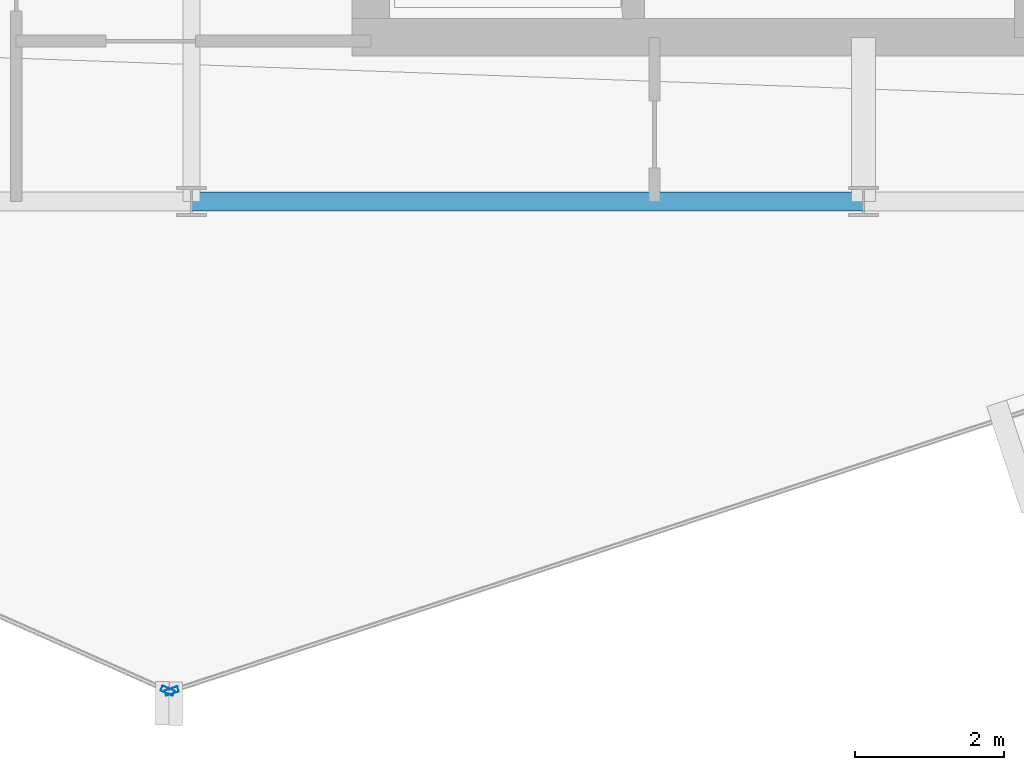
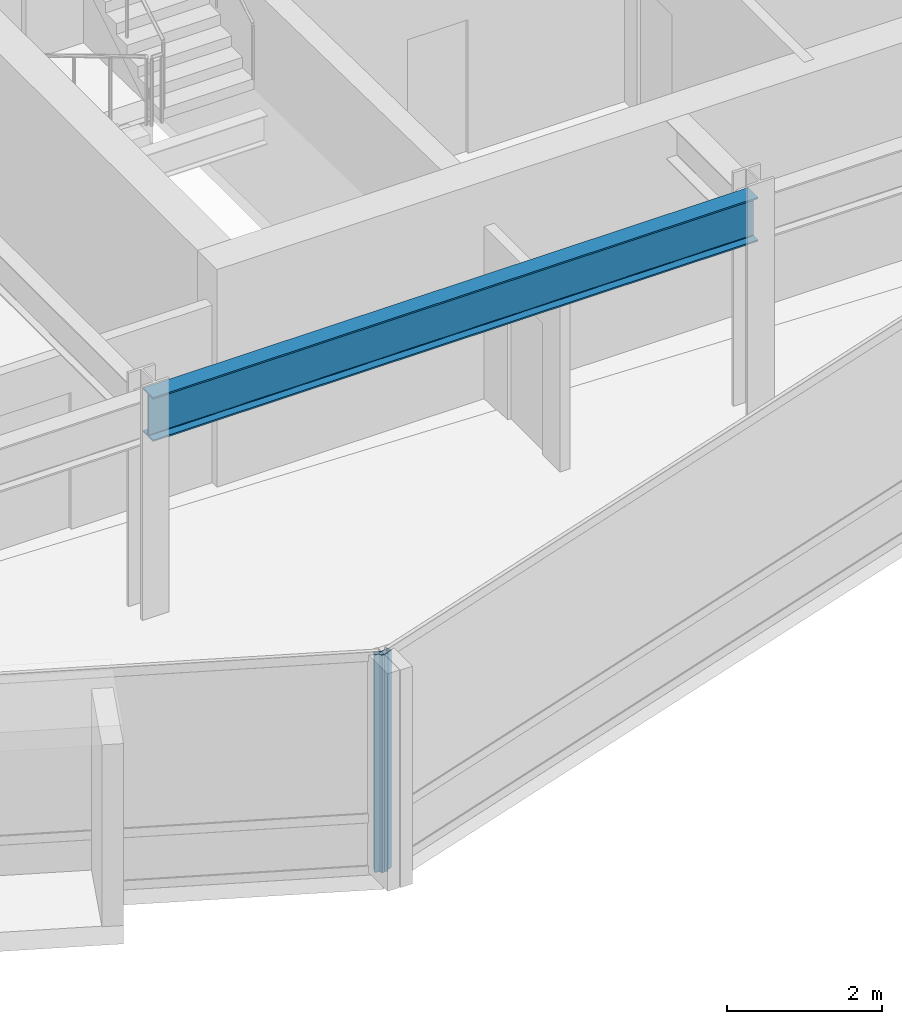
# One storey, part 4 of 28: 2 members, 1 beam, 2 elements without a shape of their own.
"""IFC4 building model written with IfcOpenShell, lengths in metres."""

from ifc_helpers import new_model, si_unit, direction, frame, origin, origin_2d, place, context, subcontext, project, spatial, hollow_rectangle, i_section, extrude, material, layer, layer_set, material_profile, profile_set, type_object, element, aggregate, save


model = new_model("IFC4")

# Units and contexts
model_context = context("Model", 3, precision=1e-05, world=origin(), true_north=direction((0.0, 1.0)))
body_context = subcontext(model_context, "Body", "Model", "MODEL_VIEW")
ifc_project = project(units=[si_unit("LENGTHUNIT", "METRE"), si_unit("AREAUNIT", "SQUARE_METRE"), si_unit("VOLUMEUNIT", "CUBIC_METRE"), si_unit("PLANEANGLEUNIT", "RADIAN"), si_unit("MASSUNIT", "GRAM", prefix="KILO")], contexts=[model_context])

# Site, building, storey
site_placement = place(None, origin())
site = spatial("IfcSite", under=ifc_project, at=site_placement, CompositionType="ELEMENT")
building_placement = place(site_placement, origin())
building = spatial("IfcBuilding", under=site, at=building_placement, Name="Solvaryn Broadcast Tower", CompositionType="ELEMENT")
storey_placement = place(building_placement, frame((0.0, 0.0, 206.199951171875)))
storey = spatial("IfcBuildingStorey", under=building, at=storey_placement, Name="L51", CompositionType="ELEMENT", Elevation=206.199951171875)

# Beam
ifc_material_1 = material(Name="Steel ASTM A992 Grade 50", Category="steel")
ifc_material_profile_1 = material_profile(ifc_material_1, i_section(OverallWidth=0.256103515625, OverallDepth=0.693115234375, WebThickness=0.014404296875, FlangeThickness=0.023681640625, FilletRadius=0.01611328125, at=origin_2d()))
ifc_profile_set_1 = profile_set([ifc_material_profile_1], Name="Steel ASTM A992 Grade 50")
beam_type = type_object("IfcBeamType", Name="BM-SP3-W27X114", PredefinedType="USERDEFINED", material=ifc_profile_set_1)
beam_placement = place(storey_placement, frame((27.0, 9.0, 3.073486328125), z_axis=(1.0, 0.0, 0.0), x_axis=(0.0, 1.0, 0.0)))
element("IfcBeam", 1, at=beam_placement, inside=storey, type_object=beam_type, Name="L51 Spandrel Beam X (27-36 @ Y=9)", ObjectType="SPANDREL", PredefinedType="USERDEFINED", context=body_context, shape_type="SweptSolid", body=[
    extrude(i_section(OverallWidth=0.256103515625, OverallDepth=0.693115234375, WebThickness=0.014404296875, FlangeThickness=0.023681640625, FilletRadius=0.01611328125, at=origin_2d()), origin(), (0.0, 0.0, 1.0), 9.0),
])

# Curtain wall, member
ifc_material_2 = material(Name="Aluminium and Terracotta Unitised Curtain Wall", Category="masonry")
ifc_layer = layer(ifc_material_2, 0.199951171875)
ifc_layer_set = layer_set([ifc_layer], Name="CW-SYS2-LOWMID")
curtain_wall_type = type_object("IfcCurtainWallType", Name="CW-SYS2-LOWMID", PredefinedType="NOTDEFINED", material=ifc_layer_set)
curtain_wall_1_placement = place(storey_placement, origin())
curtain_wall_1 = element("IfcCurtainWall", 2, at=curtain_wall_1_placement, inside=storey, type_object=curtain_wall_type, Name="L51 Curtain Wall DR3", PredefinedType="NOTDEFINED")
ifc_material_3 = material(Name="Anodised Aluminium 6063-T6", Category="aluminium")
ifc_material_profile_2 = material_profile(ifc_material_3, hollow_rectangle(XDim=0.074951171875, YDim=0.179931640625, WallThickness=0.00390625, InnerFilletRadius=0.00390625, OuterFilletRadius=0.008056640625, at=origin_2d()))
ifc_profile_set_2 = profile_set([ifc_material_profile_2], Name="Anodised Aluminium 6063-T6")
member_type = type_object("IfcMemberType", Name="CW-MUL-180", PredefinedType="MULLION", material=ifc_profile_set_2)
member_1_placement = place(storey_placement, frame((26.678466796875, 2.445068359375, 0.0), z_axis=(0.0, 0.0, 1.0), x_axis=(0.405901337237, 0.913916902365, 0.0)))
member_1 = element("IfcMember", 3, at=member_1_placement, type_object=member_type, Name="CWS2 mullion 2", PredefinedType="MULLION", context=body_context, shape_type="SweptSolid", body=[
    extrude(hollow_rectangle(XDim=0.074951171875, YDim=0.179931640625, WallThickness=0.00390625, InnerFilletRadius=0.00390625, OuterFilletRadius=0.008056640625, at=origin_2d()), origin(), (0.0, 0.0, 1.0), 3.420166015625),
])
aggregate(curtain_wall_1, [member_1])

curtain_wall_2_placement = place(storey_placement, origin())
curtain_wall_2 = element("IfcCurtainWall", 4, at=curtain_wall_2_placement, inside=storey, type_object=curtain_wall_type, Name="L51 Curtain Wall DR4", PredefinedType="NOTDEFINED")
member_2_placement = place(storey_placement, frame((26.734619140625, 2.4423828125, 0.0), z_axis=(0.0, 0.0, 1.0), x_axis=(-0.311558717623, 0.950226902099, 0.0)))
member_2 = element("IfcMember", 5, at=member_2_placement, type_object=member_type, Name="CWS2 mullion 1", PredefinedType="MULLION", context=body_context, shape_type="SweptSolid", body=[
    extrude(hollow_rectangle(XDim=0.074951171875, YDim=0.179931640625, WallThickness=0.00390625, InnerFilletRadius=0.00390625, OuterFilletRadius=0.008056640625, at=origin_2d()), origin(), (0.0, 0.0, 1.0), 3.420166015625),
])
aggregate(curtain_wall_2, [member_2])

save(model, "model.ifc")
